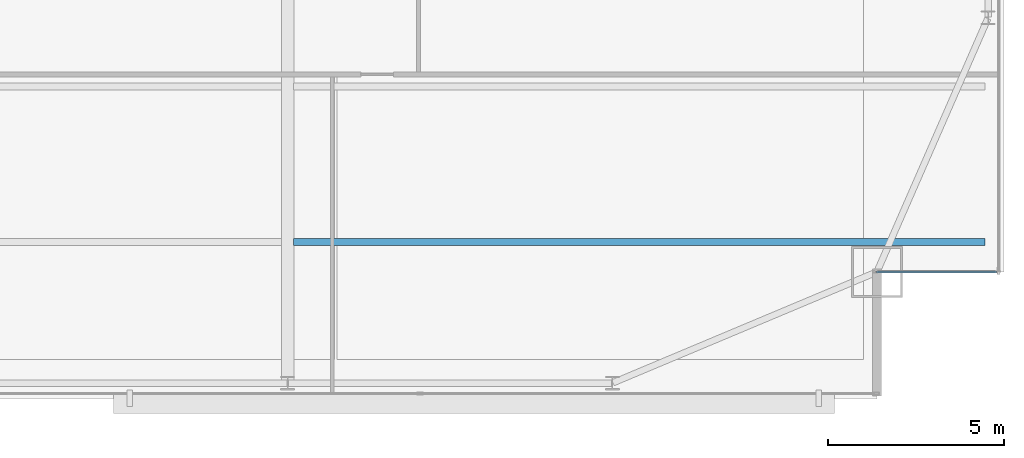
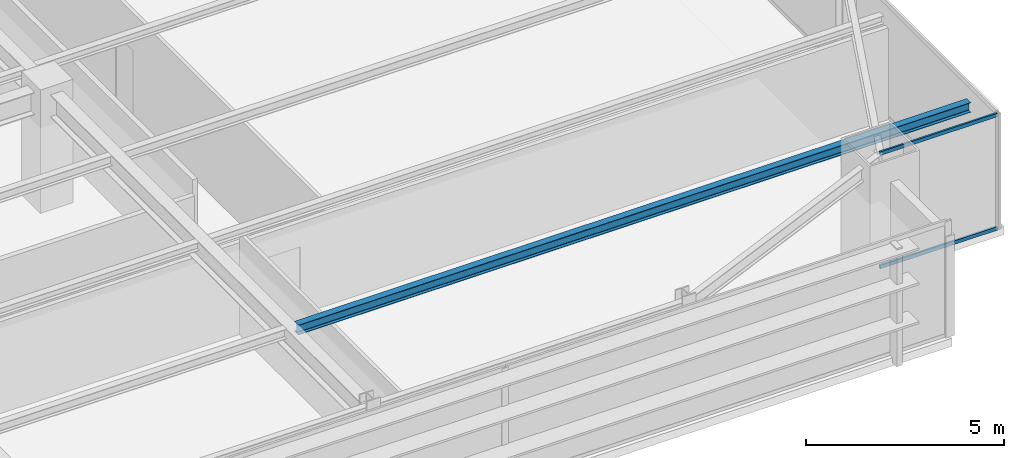
# One storey, part 15 of 30: 2 members, 1 beam, 1 element without a shape of its own.
"""IFC4 building model written with IfcOpenShell, lengths in metres."""

from ifc_helpers import new_model, si_unit, direction, frame, origin, origin_2d, place, context, subcontext, project, spatial, hollow_rectangle, i_section, extrude, source, transform, mapped, material, layer, layer_set, material_profile, profile_set, type_object, type_shapes, element, aggregate, save


model = new_model("IFC4")

# Units and contexts
model_context = context("Model", 3, precision=1e-05, world=origin(), true_north=direction((0.0, 1.0)))
body_context = subcontext(model_context, "Body", "Model", "MODEL_VIEW")
ifc_project = project(units=[si_unit("LENGTHUNIT", "METRE"), si_unit("AREAUNIT", "SQUARE_METRE"), si_unit("VOLUMEUNIT", "CUBIC_METRE"), si_unit("PLANEANGLEUNIT", "RADIAN"), si_unit("MASSUNIT", "GRAM", prefix="KILO")], contexts=[model_context])

# Site, building, storey
site_placement = place(None, origin())
site = spatial("IfcSite", under=ifc_project, at=site_placement, CompositionType="ELEMENT")
building_placement = place(site_placement, origin())
building = spatial("IfcBuilding", under=site, at=building_placement, Name="Varnel Quay Broadcast Tower", CompositionType="ELEMENT")
storey_placement = place(building_placement, frame((0.0, 0.0, 122.0)))
storey = spatial("IfcBuildingStorey", under=building, at=storey_placement, Name="L29", CompositionType="ELEMENT", Elevation=122.0)

# Beam
ifc_material_1 = material(Name="Structural Steel CSA G40.21 350W", Category="steel")
ifc_material_profile_1 = material_profile(ifc_material_1, i_section(OverallWidth=0.202880859375, OverallDepth=0.302978515625, WebThickness=0.007568359375, FlangeThickness=0.01318359375, FilletRadius=0.011962890625, at=origin_2d()), Name="W310X60")
ifc_profile_set_1 = profile_set([ifc_material_profile_1], Name="Structural Steel CSA G40.21 350W")
beam_type = type_object("IfcBeamType", Name="Beam_W310X60", PredefinedType="JOIST", material=ifc_profile_set_1)
shared_shape_1 = source(origin(), body_context, "Body", "SweptSolid", [
    extrude(i_section(OverallWidth=0.202880859375, OverallDepth=0.302978515625, WebThickness=0.007568359375, FlangeThickness=0.01318359375, FilletRadius=0.011962890625, at=origin_2d()), origin(), (0.0, 0.0, 1.0), 19.592041015625),
])
type_shapes(beam_type, [shared_shape_1])
beam_placement = place(storey_placement, frame((43.37255859375, 8.64990234375, 3.3984375), z_axis=(1.0, 0.0, 0.0), x_axis=(0.0, 1.0, 0.0)))
element("IfcBeam", 1, at=beam_placement, inside=storey, type_object=beam_type, Name="L29 East Floor Joist 1", PredefinedType="JOIST", context=body_context, shape_type="MappedRepresentation", body=[
    mapped(shared_shape_1, transform((0.0, 0.0, 0.0), x_axis=(1.0, 0.0, 0.0), y_axis=(0.0, 1.0, 0.0), z_axis=(0.0, 0.0, 1.0), scale=1.0)),
])

# Curtain wall, members
ifc_material_2 = material(Name="Anodised Bronze Aluminium 6063-T6", Category="aluminium")
ifc_layer = layer(ifc_material_2, 0.18994140625, Name="Anodised Bronze Aluminium 6063-T6")
ifc_layer_set = layer_set([ifc_layer], Name="Anodised Bronze Aluminium 6063-T6")
curtain_wall_type = type_object("IfcCurtainWallType", Name="CW_NotchCorner", PredefinedType="NOTDEFINED", material=ifc_layer_set)
curtain_wall_placement = place(storey_placement, origin())
curtain_wall = element("IfcCurtainWall", 2, at=curtain_wall_placement, inside=storey, type_object=curtain_wall_type, Name="L29 SE Notch Curtain Wall", PredefinedType="NOTDEFINED")
ifc_material_profile_2 = material_profile(ifc_material_2, hollow_rectangle(XDim=0.054931640625, YDim=0.110107421875, WallThickness=0.0029296875, at=origin_2d()), Name="ALU55X110X3")
ifc_profile_set_2 = profile_set([ifc_material_profile_2], Name="Anodised Bronze Aluminium 6063-T6")
member_type = type_object("IfcMemberType", Name="Tran_CWS-04", PredefinedType="USERDEFINED", material=ifc_profile_set_2)
shared_shape_2 = source(origin(), body_context, "Body", "SweptSolid", [
    extrude(hollow_rectangle(XDim=0.054931640625, YDim=0.110107421875, WallThickness=0.0029296875, at=origin_2d()), origin(), (0.0, 0.0, 1.0), 3.41015625),
])
type_shapes(member_type, [shared_shape_2])
member_1_placement = place(storey_placement, frame((59.8798828125, 7.800048828125, 0.027587890625), z_axis=(1.0, 0.0, 0.0), x_axis=(0.0, 1.0, 0.0)))
member_1 = element("IfcMember", 3, at=member_1_placement, type_object=member_type, Name="CWS-04 transom 1.1", ObjectType="TRANSOM", PredefinedType="USERDEFINED", context=body_context, shape_type="MappedRepresentation", body=[
    mapped(shared_shape_2, transform((0.0, 0.0, 0.0), x_axis=(1.0, 0.0, 0.0), y_axis=(0.0, 1.0, 0.0), z_axis=(0.0, 0.0, 1.0), scale=1.0)),
])
member_2_placement = place(storey_placement, frame((59.8798828125, 7.800048828125, 3.5224609375), z_axis=(1.0, 0.0, 0.0), x_axis=(0.0, 1.0, 0.0)))
member_2 = element("IfcMember", 4, at=member_2_placement, type_object=member_type, Name="CWS-04 transom 1.2", ObjectType="TRANSOM", PredefinedType="USERDEFINED", context=body_context, shape_type="MappedRepresentation", body=[
    mapped(shared_shape_2, transform((0.0, 0.0, 0.0), x_axis=(1.0, 0.0, 0.0), y_axis=(0.0, 1.0, 0.0), z_axis=(0.0, 0.0, 1.0), scale=1.0)),
])
aggregate(curtain_wall, [member_1, member_2])

save(model, "model.ifc")
